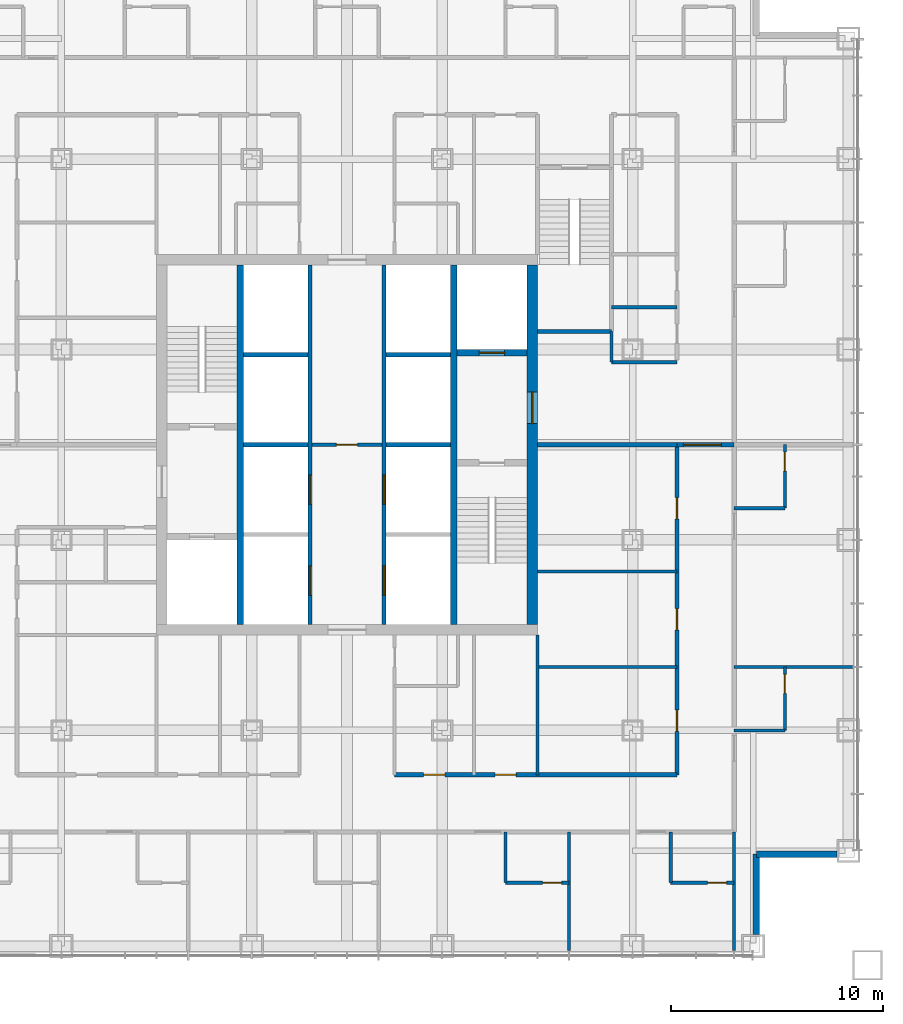
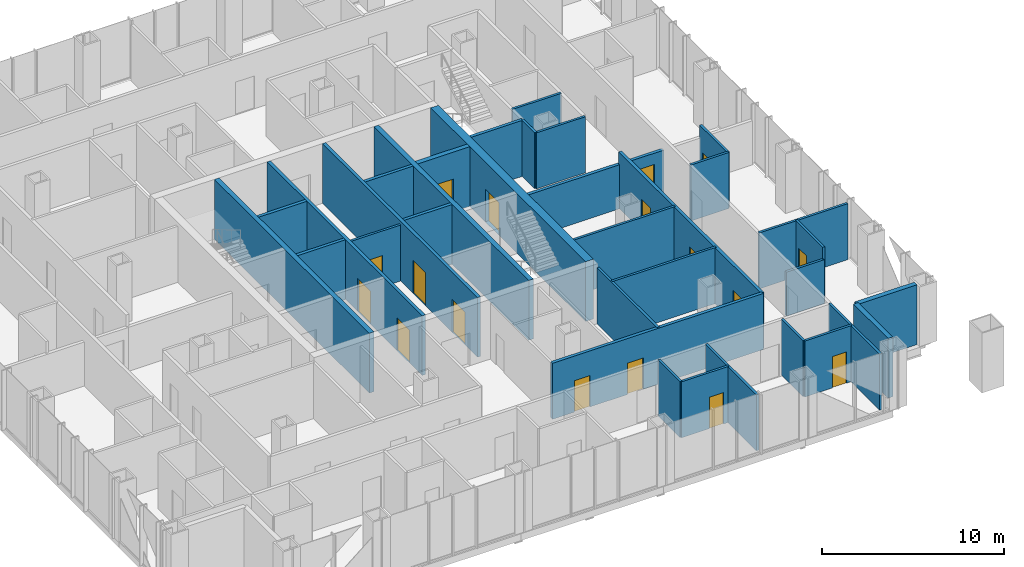
# One storey, part 10 of 13: 35 walls, 17 doors, 17 openings.
"""IFC4 building model written with IfcOpenShell, lengths in metres."""

from ifc_helpers import new_model, si_unit, direction, frame, frame_2d, origin, place, context, subcontext, project, spatial, rectangle, extrude, material, layer, layer_set, type_object, element, fill, save


model = new_model("IFC4")

# Units and contexts
model_context = context("Model", 3, precision=1e-05, world=origin(), true_north=direction((0.0, 1.0)))
body_context = subcontext(model_context, "Body", "Model", "MODEL_VIEW")
ifc_project = project(units=[si_unit("LENGTHUNIT", "METRE"), si_unit("AREAUNIT", "SQUARE_METRE"), si_unit("VOLUMEUNIT", "CUBIC_METRE"), si_unit("PLANEANGLEUNIT", "RADIAN"), si_unit("MASSUNIT", "GRAM", prefix="KILO")], contexts=[model_context])

# Site, building, storey
site_placement = place(None, origin())
site = spatial("IfcSite", under=ifc_project, at=site_placement, CompositionType="ELEMENT")
building_placement = place(site_placement, origin())
building = spatial("IfcBuilding", under=site, at=building_placement, Name="Malebo Sky Hospital", CompositionType="ELEMENT")
storey_placement = place(building_placement, frame((0.0, 0.0, 104.0)))
storey = spatial("IfcBuildingStorey", under=building, at=storey_placement, Name="L24", CompositionType="ELEMENT", Elevation=104.0)

# Wall, openings, doors
ifc_material_1 = material(Name="Concrete C80/95", Category="concrete")
ifc_layer_1 = layer(ifc_material_1, 0.199951171875)
ifc_layer_set_1 = layer_set([ifc_layer_1], Name="CORE INNER WALL 200")
wall_type_1 = type_object("IfcWallType", Name="CORE INNER WALL 200", PredefinedType="SHEAR", material=ifc_layer_set_1)
wall_1_placement = place(storey_placement, frame((58.25, 53.5, 0.0), z_axis=(0.0, 0.0, 1.0), x_axis=(0.0, 1.0, 0.0)))
wall_1 = element("IfcWall", 1, at=wall_1_placement, inside=storey, type_object=wall_type_1, Name="Core wall LW L24", PredefinedType="SHEAR", context=body_context, shape_type="SweptSolid", body=[
    extrude(rectangle(XDim=17.0, YDim=0.199951171875, at=frame_2d((8.5, 0.0))), origin(), (0.0, 0.0, 1.0), 4.0),
])
opening_1_placement = place(wall_1_placement, frame((1.375, 0.0, 0.0)))
opening_1 = element("IfcOpeningElement", 2, at=opening_1_placement, cuts=wall_1, Name="Opening LD1", PredefinedType="OPENING", context=body_context, shape_type="SweptSolid", body=[
    extrude(rectangle(XDim=1.39990234375, YDim=2.199951171875, at=frame_2d((0.699951171875, 1.10009765625))), frame((0.0, 0.10986328125, 0.0), z_axis=(0.0, -1.0, 0.0), x_axis=(1.0, 0.0, 0.0)), (0.0, 0.0, 1.0), 0.219970703125),
])
opening_2_placement = place(wall_1_placement, frame((5.675048828125, 0.0, 0.0)))
opening_2 = element("IfcOpeningElement", 3, at=opening_2_placement, cuts=wall_1, Name="Opening LD1", PredefinedType="OPENING", context=body_context, shape_type="SweptSolid", body=[
    extrude(rectangle(XDim=1.39990234375, YDim=2.199951171875, at=frame_2d((0.699951171875, 1.10009765625))), frame((0.0, 0.10986328125, 0.0), z_axis=(0.0, -1.0, 0.0), x_axis=(1.0, 0.0, 0.0)), (0.0, 0.0, 1.0), 0.219970703125),
])
ifc_material_2 = material(Name="Stainless steel sliding landing door", Category="steel")
door_type_1 = type_object("IfcDoorType", Name="LIFT LANDING DOOR 1400", OperationType="SLIDING_TO_LEFT", PredefinedType="DOOR", material=ifc_material_2)
door_1_placement = place(opening_1_placement, origin())
door_1 = element("IfcDoor", 4, at=door_1_placement, inside=storey, type_object=door_type_1, Name="Lift W1 landing door", OperationType="SLIDING_TO_LEFT", OverallHeight=2.199951171875, OverallWidth=1.39990234375, PredefinedType="DOOR", context=body_context, shape_type="SweptSolid", body=[
    extrude(rectangle(XDim=1.39990234375, YDim=2.199951171875, at=frame_2d((0.699951171875, 1.10009765625))), frame((0.0, 0.02490234375, 0.0), z_axis=(0.0, -1.0, 0.0), x_axis=(1.0, 0.0, 0.0)), (0.0, 0.0, 1.0), 0.050048828125),
])
fill(opening_1, door_1)
door_2_placement = place(opening_2_placement, origin())
door_2 = element("IfcDoor", 5, at=door_2_placement, inside=storey, type_object=door_type_1, Name="Lift W2 landing door", OperationType="SLIDING_TO_LEFT", OverallHeight=2.199951171875, OverallWidth=1.39990234375, PredefinedType="DOOR", context=body_context, shape_type="SweptSolid", body=[
    extrude(rectangle(XDim=1.39990234375, YDim=2.199951171875, at=frame_2d((0.699951171875, 1.10009765625))), frame((0.0, 0.02490234375, 0.0), z_axis=(0.0, -1.0, 0.0), x_axis=(1.0, 0.0, 0.0)), (0.0, 0.0, 1.0), 0.050048828125),
])
fill(opening_2, door_2)

wall_2_placement = place(storey_placement, frame((61.75, 53.5, 0.0), z_axis=(0.0, 0.0, 1.0), x_axis=(0.0, 1.0, 0.0)))
wall_2 = element("IfcWall", 6, at=wall_2_placement, inside=storey, type_object=wall_type_1, Name="Core wall LE L24", PredefinedType="SHEAR", context=body_context, shape_type="SweptSolid", body=[
    extrude(rectangle(XDim=17.0, YDim=0.199951171875, at=frame_2d((8.5, 0.0))), origin(), (0.0, 0.0, 1.0), 4.0),
])
opening_3_placement = place(wall_2_placement, frame((1.375, 0.0, 0.0)))
opening_3 = element("IfcOpeningElement", 7, at=opening_3_placement, cuts=wall_2, Name="Opening LD1", PredefinedType="OPENING", context=body_context, shape_type="SweptSolid", body=[
    extrude(rectangle(XDim=1.39990234375, YDim=2.199951171875, at=frame_2d((0.699951171875, 1.10009765625))), frame((0.0, 0.10986328125, 0.0), z_axis=(0.0, -1.0, 0.0), x_axis=(1.0, 0.0, 0.0)), (0.0, 0.0, 1.0), 0.219970703125),
])
opening_4_placement = place(wall_2_placement, frame((5.675048828125, 0.0, 0.0)))
opening_4 = element("IfcOpeningElement", 8, at=opening_4_placement, cuts=wall_2, Name="Opening LD1", PredefinedType="OPENING", context=body_context, shape_type="SweptSolid", body=[
    extrude(rectangle(XDim=1.39990234375, YDim=2.199951171875, at=frame_2d((0.699951171875, 1.10009765625))), frame((0.0, 0.10986328125, 0.0), z_axis=(0.0, -1.0, 0.0), x_axis=(1.0, 0.0, 0.0)), (0.0, 0.0, 1.0), 0.219970703125),
])
door_3_placement = place(opening_3_placement, origin())
door_3 = element("IfcDoor", 9, at=door_3_placement, inside=storey, type_object=door_type_1, Name="Lift E1 landing door", OperationType="SLIDING_TO_LEFT", OverallHeight=2.199951171875, OverallWidth=1.39990234375, PredefinedType="DOOR", context=body_context, shape_type="SweptSolid", body=[
    extrude(rectangle(XDim=1.39990234375, YDim=2.199951171875, at=frame_2d((0.699951171875, 1.10009765625))), frame((0.0, 0.02490234375, 0.0), z_axis=(0.0, -1.0, 0.0), x_axis=(1.0, 0.0, 0.0)), (0.0, 0.0, 1.0), 0.050048828125),
])
fill(opening_3, door_3)
door_4_placement = place(opening_4_placement, origin())
door_4 = element("IfcDoor", 10, at=door_4_placement, inside=storey, type_object=door_type_1, Name="Lift E2 landing door", OperationType="SLIDING_TO_LEFT", OverallHeight=2.199951171875, OverallWidth=1.39990234375, PredefinedType="DOOR", context=body_context, shape_type="SweptSolid", body=[
    extrude(rectangle(XDim=1.39990234375, YDim=2.199951171875, at=frame_2d((0.699951171875, 1.10009765625))), frame((0.0, 0.02490234375, 0.0), z_axis=(0.0, -1.0, 0.0), x_axis=(1.0, 0.0, 0.0)), (0.0, 0.0, 1.0), 0.050048828125),
])
fill(opening_4, door_4)

# Walls
for number, where, z_axis, x_axis, name in (
    (11, (55.10009765625, 62.0, 0.0), (0.0, 0.0, 1.0), (1.0, 0.0, 0.0), "Core wall SW1 L24"),
    (12, (61.85009765625, 62.0, 0.0), (0.0, 0.0, 1.0), (1.0, 0.0, 0.0), "Core wall SE1 L24"),
    (13, (55.10009765625, 66.25, 0.0), (0.0, 0.0, 1.0), (1.0, 0.0, 0.0), "Core wall SW2 L24"),
    (14, (61.85009765625, 66.25, 0.0), (0.0, 0.0, 1.0), (1.0, 0.0, 0.0), "Core wall SE2 L24"),
):
    element("IfcWall", number, at=place(storey_placement, frame(where, z_axis=z_axis, x_axis=x_axis)), inside=storey, type_object=wall_type_1, Name=name, PredefinedType="SHEAR", context=body_context, shape_type="SweptSolid", body=[
        extrude(rectangle(XDim=3.0498046875, YDim=0.199951171875, at=frame_2d((1.52490234375, 0.0))), origin(), (0.0, 0.0, 1.0), 4.0),
    ])
ifc_layer_2 = layer(ifc_material_1, 0.300048828125)
ifc_layer_set_2 = layer_set([ifc_layer_2], Name="CORE INNER WALL 300")
wall_type_2 = type_object("IfcWallType", Name="CORE INNER WALL 300", PredefinedType="SHEAR", material=ifc_layer_set_2)
for number, where, z_axis, x_axis, name in (
    (15, (54.949951171875, 53.5, 0.0), (0.0, 0.0, 1.0), (0.0, 1.0, 0.0), "Core wall XW L24"),
    (16, (65.050048828125, 53.5, 0.0), (0.0, 0.0, 1.0), (0.0, 1.0, 0.0), "Core wall XE L24"),
):
    element("IfcWall", number, at=place(storey_placement, frame(where, z_axis=z_axis, x_axis=x_axis)), inside=storey, type_object=wall_type_2, Name=name, PredefinedType="SHEAR", context=body_context, shape_type="SweptSolid", body=[
        extrude(rectangle(XDim=17.0, YDim=0.300048828125, at=frame_2d((8.5, 0.0))), origin(), (0.0, 0.0, 1.0), 4.0),
    ])

# Wall, opening, door
wall_3_placement = place(storey_placement, frame((65.199951171875, 66.35009765625, 0.0), z_axis=(0.0, 0.0, 1.0), x_axis=(1.0, 0.0, 0.0)))
wall_3 = element("IfcWall", 17, at=wall_3_placement, inside=storey, type_object=wall_type_2, Name="Core wall E2 L24", PredefinedType="SHEAR", context=body_context, shape_type="SweptSolid", body=[
    extrude(rectangle(XDim=3.300048828125, YDim=0.300048828125, at=frame_2d((1.64990234375, 0.0))), origin(), (0.0, 0.0, 1.0), 4.0),
])
opening_5_placement = place(wall_3_placement, frame((1.050048828125, 0.0, 0.0)))
opening_5 = element("IfcOpeningElement", 18, at=opening_5_placement, cuts=wall_3, Name="Opening LD2", PredefinedType="OPENING", context=body_context, shape_type="SweptSolid", body=[
    extrude(rectangle(XDim=1.199951171875, YDim=2.199951171875, at=frame_2d((0.60009765625, 1.10009765625))), frame((0.0, 0.159912109375, 0.0), z_axis=(0.0, -1.0, 0.0), x_axis=(1.0, 0.0, 0.0)), (0.0, 0.0, 1.0), 0.320068359375),
])
door_type_2 = type_object("IfcDoorType", Name="FIRE-FIGHTING LIFT LANDING DOOR 1200", OperationType="SLIDING_TO_LEFT", PredefinedType="DOOR", material=ifc_material_2)
door_5_placement = place(opening_5_placement, origin())
door_5 = element("IfcDoor", 19, at=door_5_placement, inside=storey, type_object=door_type_2, Name="Lift FL2 landing door", OperationType="SLIDING_TO_LEFT", OverallHeight=2.199951171875, OverallWidth=1.199951171875, PredefinedType="DOOR", context=body_context, shape_type="SweptSolid", body=[
    extrude(rectangle(XDim=1.199951171875, YDim=2.199951171875, at=frame_2d((0.60009765625, 1.10009765625))), frame((0.0, 0.02490234375, 0.0), z_axis=(0.0, -1.0, 0.0), x_axis=(1.0, 0.0, 0.0)), (0.0, 0.0, 1.0), 0.050048828125),
])
fill(opening_5, door_5)

ifc_layer_3 = layer(ifc_material_1, 0.5)
ifc_layer_set_3 = layer_set([ifc_layer_3], Name="CORE WALL 500")
wall_type_3 = type_object("IfcWallType", Name="CORE WALL 500", PredefinedType="SHEAR", material=ifc_layer_set_3)
wall_4_placement = place(storey_placement, frame((68.75, 53.5, 0.0), z_axis=(0.0, 0.0, 1.0), x_axis=(0.0, 1.0, 0.0)))
wall_4 = element("IfcWall", 20, at=wall_4_placement, inside=storey, type_object=wall_type_3, Name="Core wall E L24", PredefinedType="SHEAR", context=body_context, shape_type="SweptSolid", body=[
    extrude(rectangle(XDim=17.0, YDim=0.5, at=frame_2d((8.5, 0.0))), origin(), (0.0, 0.0, 1.0), 4.0),
])
opening_6_placement = place(wall_4_placement, frame((9.5, 0.0, 0.0)))
opening_6 = element("IfcOpeningElement", 21, at=opening_6_placement, cuts=wall_4, Name="Opening D07", PredefinedType="OPENING", context=body_context, shape_type="SweptSolid", body=[
    extrude(rectangle(XDim=1.5, YDim=2.199951171875, at=frame_2d((0.75, 1.10009765625))), frame((0.0, 0.260009765625, 0.0), z_axis=(0.0, -1.0, 0.0), x_axis=(1.0, 0.0, 0.0)), (0.0, 0.0, 1.0), 0.52001953125),
])
ifc_material_3 = material(Name="Hardwood-faced door leaf in steel frame", Category="steel")
door_type_3 = type_object("IfcDoorType", Name="FIRE-FIGHTING LOBBY DOOR PAIR 1500", OperationType="DOUBLE_DOOR_SINGLE_SWING", PredefinedType="DOOR", material=ifc_material_3)
door_6_placement = place(opening_6_placement, origin())
door_6 = element("IfcDoor", 22, at=door_6_placement, inside=storey, type_object=door_type_3, Name="Fire-fighting lobby door east", OperationType="DOUBLE_DOOR_SINGLE_SWING", OverallHeight=2.199951171875, OverallWidth=1.5, PredefinedType="DOOR", context=body_context, shape_type="SweptSolid", body=[
    extrude(rectangle(XDim=1.5, YDim=2.199951171875, at=frame_2d((0.75, 1.10009765625))), frame((0.0, 0.02490234375, 0.0), z_axis=(0.0, -1.0, 0.0), x_axis=(1.0, 0.0, 0.0)), (0.0, 0.0, 1.0), 0.050048828125),
])
fill(opening_6, door_6)

# Wall, openings, doors
ifc_material_4 = material(Name="Gypsum board on steel studs", Category="steel")
ifc_layer_4 = layer(ifc_material_4, 0.199951171875)
ifc_layer_set_4 = layer_set([ifc_layer_4], Name="CORRIDOR WALL 200")
wall_type_4 = type_object("IfcWallType", Name="CORRIDOR WALL 200", PredefinedType="PARTITIONING", material=ifc_layer_set_4)
wall_5_placement = place(storey_placement, frame((75.60009765625, 46.39990234375, 0.0), z_axis=(0.0, 0.0, 1.0), x_axis=(-1.0, 0.0, 0.0)))
wall_5 = element("IfcWall", 23, at=wall_5_placement, inside=storey, type_object=wall_type_4, Name="Corridor Wall 200 SCI1", PredefinedType="PARTITIONING", context=body_context, shape_type="SweptSolid", body=[
    extrude(rectangle(XDim=13.35009765625, YDim=0.199951171875, at=frame_2d((6.675048828125, 0.0))), origin(), (0.0, 0.0, 1.0), 3.75),
])
opening_7_placement = place(wall_5_placement, frame((7.60009765625, 0.0, 0.0)))
opening_7 = element("IfcOpeningElement", 24, at=opening_7_placement, cuts=wall_5, Name="Opening D03", PredefinedType="OPENING", context=body_context, shape_type="SweptSolid", body=[
    extrude(rectangle(XDim=1.0, YDim=2.10009765625, at=frame_2d((0.5, 1.050048828125))), frame((0.0, 0.10986328125, 0.0), z_axis=(0.0, -1.0, 0.0), x_axis=(1.0, 0.0, 0.0)), (0.0, 0.0, 1.0), 0.219970703125),
])
opening_8_placement = place(wall_5_placement, frame((10.97509765625, 0.0, 0.0)))
opening_8 = element("IfcOpeningElement", 25, at=opening_8_placement, cuts=wall_5, Name="Opening D03", PredefinedType="OPENING", context=body_context, shape_type="SweptSolid", body=[
    extrude(rectangle(XDim=1.0, YDim=2.10009765625, at=frame_2d((0.5, 1.050048828125))), frame((0.0, 0.10986328125, 0.0), z_axis=(0.0, -1.0, 0.0), x_axis=(1.0, 0.0, 0.0)), (0.0, 0.0, 1.0), 0.219970703125),
])
door_type_4 = type_object("IfcDoorType", Name="ROOM DOOR 1000", OperationType="SINGLE_SWING_LEFT", PredefinedType="DOOR", material=ifc_material_3)
door_7_placement = place(opening_7_placement, origin())
door_7 = element("IfcDoor", 26, at=door_7_placement, inside=storey, type_object=door_type_4, Name="Relatives' room door", OperationType="SINGLE_SWING_LEFT", OverallHeight=2.10009765625, OverallWidth=1.0, PredefinedType="DOOR", context=body_context, shape_type="SweptSolid", body=[
    extrude(rectangle(XDim=1.0, YDim=2.10009765625, at=frame_2d((0.5, 1.050048828125))), frame((0.0, 0.02490234375, 0.0), z_axis=(0.0, -1.0, 0.0), x_axis=(1.0, 0.0, 0.0)), (0.0, 0.0, 1.0), 0.050048828125),
])
fill(opening_7, door_7)
door_8_placement = place(opening_8_placement, origin())
door_8 = element("IfcDoor", 27, at=door_8_placement, inside=storey, type_object=door_type_4, Name="Dirty utility room door", OperationType="SINGLE_SWING_LEFT", OverallHeight=2.10009765625, OverallWidth=1.0, PredefinedType="DOOR", context=body_context, shape_type="SweptSolid", body=[
    extrude(rectangle(XDim=1.0, YDim=2.10009765625, at=frame_2d((0.5, 1.050048828125))), frame((0.0, 0.02490234375, 0.0), z_axis=(0.0, -1.0, 0.0), x_axis=(1.0, 0.0, 0.0)), (0.0, 0.0, 1.0), 0.050048828125),
])
fill(opening_8, door_8)

wall_6_placement = place(storey_placement, frame((75.60009765625, 62.0, 0.0), z_axis=(0.0, 0.0, 1.0), x_axis=(0.0, -1.0, 0.0)))
wall_6 = element("IfcWall", 28, at=wall_6_placement, inside=storey, type_object=wall_type_4, Name="Corridor Wall 200 ECI2", PredefinedType="PARTITIONING", context=body_context, shape_type="SweptSolid", body=[
    extrude(rectangle(XDim=15.60009765625, YDim=0.199951171875, at=frame_2d((7.800048828125, 0.0))), origin(), (0.0, 0.0, 1.0), 3.75),
])
opening_9_placement = place(wall_6_placement, frame((2.5, 0.0, 0.0)))
opening_9 = element("IfcOpeningElement", 29, at=opening_9_placement, cuts=wall_6, Name="Opening D03", PredefinedType="OPENING", context=body_context, shape_type="SweptSolid", body=[
    extrude(rectangle(XDim=1.0, YDim=2.10009765625, at=frame_2d((0.5, 1.050048828125))), frame((0.0, 0.10986328125, 0.0), z_axis=(0.0, -1.0, 0.0), x_axis=(1.0, 0.0, 0.0)), (0.0, 0.0, 1.0), 0.219970703125),
])
opening_10_placement = place(wall_6_placement, frame((7.75, 0.0, 0.0)))
opening_10 = element("IfcOpeningElement", 30, at=opening_10_placement, cuts=wall_6, Name="Opening D03", PredefinedType="OPENING", context=body_context, shape_type="SweptSolid", body=[
    extrude(rectangle(XDim=1.0, YDim=2.10009765625, at=frame_2d((0.5, 1.050048828125))), frame((0.0, 0.10986328125, 0.0), z_axis=(0.0, -1.0, 0.0), x_axis=(1.0, 0.0, 0.0)), (0.0, 0.0, 1.0), 0.219970703125),
])
opening_11_placement = place(wall_6_placement, frame((12.550048828125, 0.0, 0.0)))
opening_11 = element("IfcOpeningElement", 31, at=opening_11_placement, cuts=wall_6, Name="Opening D03", PredefinedType="OPENING", context=body_context, shape_type="SweptSolid", body=[
    extrude(rectangle(XDim=1.0, YDim=2.10009765625, at=frame_2d((0.5, 1.050048828125))), frame((0.0, 0.10986328125, 0.0), z_axis=(0.0, -1.0, 0.0), x_axis=(1.0, 0.0, 0.0)), (0.0, 0.0, 1.0), 0.219970703125),
])
door_9_placement = place(opening_9_placement, origin())
door_9 = element("IfcDoor", 32, at=door_9_placement, inside=storey, type_object=door_type_4, Name="Consulting room door", OperationType="SINGLE_SWING_LEFT", OverallHeight=2.10009765625, OverallWidth=1.0, PredefinedType="DOOR", context=body_context, shape_type="SweptSolid", body=[
    extrude(rectangle(XDim=1.0, YDim=2.10009765625, at=frame_2d((0.5, 1.050048828125))), frame((0.0, 0.02490234375, 0.0), z_axis=(0.0, -1.0, 0.0), x_axis=(1.0, 0.0, 0.0)), (0.0, 0.0, 1.0), 0.050048828125),
])
fill(opening_9, door_9)
door_10_placement = place(opening_10_placement, origin())
door_10 = element("IfcDoor", 33, at=door_10_placement, inside=storey, type_object=door_type_4, Name="Interview room door", OperationType="SINGLE_SWING_LEFT", OverallHeight=2.10009765625, OverallWidth=1.0, PredefinedType="DOOR", context=body_context, shape_type="SweptSolid", body=[
    extrude(rectangle(XDim=1.0, YDim=2.10009765625, at=frame_2d((0.5, 1.050048828125))), frame((0.0, 0.02490234375, 0.0), z_axis=(0.0, -1.0, 0.0), x_axis=(1.0, 0.0, 0.0)), (0.0, 0.0, 1.0), 0.050048828125),
])
fill(opening_10, door_10)
door_11_placement = place(opening_11_placement, origin())
door_11 = element("IfcDoor", 34, at=door_11_placement, inside=storey, type_object=door_type_4, Name="Staff base door", OperationType="SINGLE_SWING_RIGHT", OverallHeight=2.10009765625, OverallWidth=1.0, PredefinedType="DOOR", context=body_context, shape_type="SweptSolid", body=[
    extrude(rectangle(XDim=1.0, YDim=2.10009765625, at=frame_2d((0.5, 1.050048828125))), frame((0.0, 0.02490234375, 0.0), z_axis=(0.0, -1.0, 0.0), x_axis=(1.0, 0.0, 0.0)), (0.0, 0.0, 1.0), 0.050048828125),
])
fill(opening_11, door_11)

# Walls
ifc_material_5 = material(Name="Anodised aluminium rainscreen on steel framing", Category="steel")
ifc_layer_5 = layer(ifc_material_5, 0.300048828125)
ifc_layer_set_5 = layer_set([ifc_layer_5], Name="NOTCH RAINSCREEN WALL 300")
wall_type_5 = type_object("IfcWallType", Name="NOTCH RAINSCREEN WALL 300", PredefinedType="ELEMENTEDWALL", material=ifc_layer_set_5)
for number, where, z_axis, x_axis, name in (
    (35, (83.14990234375, 42.64990234375, 0.0), (0.0, 0.0, 1.0), (-1.0, 0.0, 0.0), "Notch rainscreen wall E1 L24"),
    (36, (79.35009765625, 42.64990234375, 0.0), (0.0, 0.0, 1.0), (0.0, -1.0, 0.0), "Notch rainscreen wall E2 L24"),
):
    element("IfcWall", number, at=place(storey_placement, frame(where, z_axis=z_axis, x_axis=x_axis)), inside=storey, type_object=wall_type_5, Name=name, PredefinedType="ELEMENTEDWALL", context=body_context, shape_type="SweptSolid", body=[
        extrude(rectangle(XDim=3.7998046875, YDim=0.300048828125, at=frame_2d((1.89990234375, 0.0))), origin(), (0.0, 0.0, 1.0), 4.0),
    ])
ifc_layer_6 = layer(ifc_material_4, 0.14990234375)
ifc_layer_set_6 = layer_set([ifc_layer_6], Name="PARTITION 150")
wall_type_6 = type_object("IfcWallType", Name="PARTITION 150", PredefinedType="PARTITIONING", material=ifc_layer_set_6)
for number, where, z_axis, x_axis, name in (
    (37, (70.5, 43.699951171875, 0.0), (0.0, 0.0, 1.0), (0.0, -1.0, 0.0), "Partition 150 SP-10.5"),
    (38, (78.300048828125, 43.699951171875, 0.0), (0.0, 0.0, 1.0), (0.0, -1.0, 0.0), "Partition 150 SP0"),
):
    element("IfcWall", number, at=place(storey_placement, frame(where, z_axis=z_axis, x_axis=x_axis)), inside=storey, type_object=wall_type_6, Name=name, PredefinedType="PARTITIONING", context=body_context, shape_type="SweptSolid", body=[
        extrude(rectangle(XDim=5.60986328125, YDim=0.14990234375, at=frame_2d((2.804931640625, 0.0))), origin(), (0.0, 0.0, 1.0), 3.75),
    ])

# Wall, opening, door
wall_7_placement = place(storey_placement, frame((78.300048828125, 41.300048828125, 0.0), z_axis=(0.0, 0.0, 1.0), x_axis=(-1.0, 0.0, 0.0)))
wall_7 = element("IfcWall", 39, at=wall_7_placement, inside=storey, type_object=wall_type_6, Name="Partition 150 SE0F", PredefinedType="PARTITIONING", context=body_context, shape_type="SweptSolid", body=[
    extrude(rectangle(XDim=3.0, YDim=0.14990234375, at=frame_2d((1.5, 0.0))), origin(), (0.0, 0.0, 1.0), 3.75),
])
opening_12_placement = place(wall_7_placement, frame((0.35009765625, 0.0, 0.0)))
opening_12 = element("IfcOpeningElement", 40, at=opening_12_placement, cuts=wall_7, Name="Opening D02", PredefinedType="OPENING", context=body_context, shape_type="SweptSolid", body=[
    extrude(rectangle(XDim=0.89990234375, YDim=2.10009765625, at=frame_2d((0.449951171875, 1.050048828125))), frame((0.0, 0.0849609375, 0.0), z_axis=(0.0, -1.0, 0.0), x_axis=(1.0, 0.0, 0.0)), (0.0, 0.0, 1.0), 0.169921875),
])
door_type_5 = type_object("IfcDoorType", Name="EN-SUITE DOOR 900", OperationType="SINGLE_SWING_LEFT", PredefinedType="DOOR", material=ifc_material_3)
door_12_placement = place(opening_12_placement, origin())
door_12 = element("IfcDoor", 41, at=door_12_placement, inside=storey, type_object=door_type_5, Name="En-suite door", OperationType="SINGLE_SWING_LEFT", OverallHeight=2.10009765625, OverallWidth=0.89990234375, PredefinedType="DOOR", context=body_context, shape_type="SweptSolid", body=[
    extrude(rectangle(XDim=0.89990234375, YDim=2.10009765625, at=frame_2d((0.449951171875, 1.050048828125))), frame((0.0, 0.02490234375, 0.0), z_axis=(0.0, -1.0, 0.0), x_axis=(1.0, 0.0, 0.0)), (0.0, 0.0, 1.0), 0.050048828125),
])
fill(opening_12, door_12)

# Wall
wall_8_placement = place(storey_placement, frame((75.300048828125, 43.699951171875, 0.0), z_axis=(0.0, 0.0, 1.0), x_axis=(0.0, -1.0, 0.0)))
element("IfcWall", 42, at=wall_8_placement, inside=storey, type_object=wall_type_6, Name="Partition 150 SE0S", PredefinedType="PARTITIONING", context=body_context, shape_type="SweptSolid", body=[
    extrude(rectangle(XDim=2.39990234375, YDim=0.14990234375, at=frame_2d((1.199951171875, 0.0))), origin(), (0.0, 0.0, 1.0), 3.75),
])

# Wall, opening, door
wall_9_placement = place(storey_placement, frame((70.5, 41.300048828125, 0.0), z_axis=(0.0, 0.0, 1.0), x_axis=(-1.0, 0.0, 0.0)))
wall_9 = element("IfcWall", 43, at=wall_9_placement, inside=storey, type_object=wall_type_6, Name="Partition 150 SE1F", PredefinedType="PARTITIONING", context=body_context, shape_type="SweptSolid", body=[
    extrude(rectangle(XDim=3.0, YDim=0.14990234375, at=frame_2d((1.5, 0.0))), origin(), (0.0, 0.0, 1.0), 3.75),
])
opening_13_placement = place(wall_9_placement, frame((0.35009765625, 0.0, 0.0)))
opening_13 = element("IfcOpeningElement", 44, at=opening_13_placement, cuts=wall_9, Name="Opening D02", PredefinedType="OPENING", context=body_context, shape_type="SweptSolid", body=[
    extrude(rectangle(XDim=0.89990234375, YDim=2.10009765625, at=frame_2d((0.449951171875, 1.050048828125))), frame((0.0, 0.0849609375, 0.0), z_axis=(0.0, -1.0, 0.0), x_axis=(1.0, 0.0, 0.0)), (0.0, 0.0, 1.0), 0.169921875),
])
door_13_placement = place(opening_13_placement, origin())
door_13 = element("IfcDoor", 45, at=door_13_placement, inside=storey, type_object=door_type_5, Name="En-suite door", OperationType="SINGLE_SWING_LEFT", OverallHeight=2.10009765625, OverallWidth=0.89990234375, PredefinedType="DOOR", context=body_context, shape_type="SweptSolid", body=[
    extrude(rectangle(XDim=0.89990234375, YDim=2.10009765625, at=frame_2d((0.449951171875, 1.050048828125))), frame((0.0, 0.02490234375, 0.0), z_axis=(0.0, -1.0, 0.0), x_axis=(1.0, 0.0, 0.0)), (0.0, 0.0, 1.0), 0.050048828125),
])
fill(opening_13, door_13)

# Walls
wall_10_placement = place(storey_placement, frame((67.5, 43.699951171875, 0.0), z_axis=(0.0, 0.0, 1.0), x_axis=(0.0, -1.0, 0.0)))
element("IfcWall", 46, at=wall_10_placement, inside=storey, type_object=wall_type_6, Name="Partition 150 SE1S", PredefinedType="PARTITIONING", context=body_context, shape_type="SweptSolid", body=[
    extrude(rectangle(XDim=2.39990234375, YDim=0.14990234375, at=frame_2d((1.199951171875, 0.0))), origin(), (0.0, 0.0, 1.0), 3.75),
])
wall_11_placement = place(storey_placement, frame((69.0, 53.0, 0.0), z_axis=(0.0, 0.0, 1.0), x_axis=(0.0, -1.0, 0.0)))
element("IfcWall", 47, at=wall_11_placement, inside=storey, type_object=wall_type_6, Name="Partition 150 SSP0", PredefinedType="PARTITIONING", context=body_context, shape_type="SweptSolid", body=[
    extrude(rectangle(XDim=6.60009765625, YDim=0.14990234375, at=frame_2d((3.300048828125, 0.0))), origin(), (0.0, 0.0, 1.0), 3.75),
])
wall_12_placement = place(storey_placement, frame((78.300048828125, 51.5, 0.0), z_axis=(0.0, 0.0, 1.0), x_axis=(1.0, 0.0, 0.0)))
element("IfcWall", 48, at=wall_12_placement, inside=storey, type_object=wall_type_6, Name="Partition 150 EP+10.5", PredefinedType="PARTITIONING", context=body_context, shape_type="SweptSolid", body=[
    extrude(rectangle(XDim=5.60986328125, YDim=0.14990234375, at=frame_2d((2.804931640625, 0.0))), origin(), (0.0, 0.0, 1.0), 3.75),
])

# Wall, opening, door
wall_13_placement = place(storey_placement, frame((80.699951171875, 62.0, 0.0), z_axis=(0.0, 0.0, 1.0), x_axis=(0.0, -1.0, 0.0)))
wall_13 = element("IfcWall", 49, at=wall_13_placement, inside=storey, type_object=wall_type_6, Name="Partition 150 EE2F", PredefinedType="PARTITIONING", context=body_context, shape_type="SweptSolid", body=[
    extrude(rectangle(XDim=3.0, YDim=0.14990234375, at=frame_2d((1.5, 0.0))), origin(), (0.0, 0.0, 1.0), 3.75),
])
opening_14_placement = place(wall_13_placement, frame((0.35009765625, 0.0, 0.0)))
opening_14 = element("IfcOpeningElement", 50, at=opening_14_placement, cuts=wall_13, Name="Opening D02", PredefinedType="OPENING", context=body_context, shape_type="SweptSolid", body=[
    extrude(rectangle(XDim=0.89990234375, YDim=2.10009765625, at=frame_2d((0.449951171875, 1.050048828125))), frame((0.0, 0.0849609375, 0.0), z_axis=(0.0, -1.0, 0.0), x_axis=(1.0, 0.0, 0.0)), (0.0, 0.0, 1.0), 0.169921875),
])
door_14_placement = place(opening_14_placement, origin())
door_14 = element("IfcDoor", 51, at=door_14_placement, inside=storey, type_object=door_type_5, Name="En-suite door", OperationType="SINGLE_SWING_LEFT", OverallHeight=2.10009765625, OverallWidth=0.89990234375, PredefinedType="DOOR", context=body_context, shape_type="SweptSolid", body=[
    extrude(rectangle(XDim=0.89990234375, YDim=2.10009765625, at=frame_2d((0.449951171875, 1.050048828125))), frame((0.0, 0.02490234375, 0.0), z_axis=(0.0, -1.0, 0.0), x_axis=(1.0, 0.0, 0.0)), (0.0, 0.0, 1.0), 0.050048828125),
])
fill(opening_14, door_14)

# Wall
wall_14_placement = place(storey_placement, frame((78.300048828125, 59.0, 0.0), z_axis=(0.0, 0.0, 1.0), x_axis=(1.0, 0.0, 0.0)))
element("IfcWall", 52, at=wall_14_placement, inside=storey, type_object=wall_type_6, Name="Partition 150 EE2S", PredefinedType="PARTITIONING", context=body_context, shape_type="SweptSolid", body=[
    extrude(rectangle(XDim=2.39990234375, YDim=0.14990234375, at=frame_2d((1.199951171875, 0.0))), origin(), (0.0, 0.0, 1.0), 3.75),
])

# Wall, opening, door
wall_15_placement = place(storey_placement, frame((80.699951171875, 51.5, 0.0), z_axis=(0.0, 0.0, 1.0), x_axis=(0.0, -1.0, 0.0)))
wall_15 = element("IfcWall", 53, at=wall_15_placement, inside=storey, type_object=wall_type_6, Name="Partition 150 EE3F", PredefinedType="PARTITIONING", context=body_context, shape_type="SweptSolid", body=[
    extrude(rectangle(XDim=3.0, YDim=0.14990234375, at=frame_2d((1.5, 0.0))), origin(), (0.0, 0.0, 1.0), 3.75),
])
opening_15_placement = place(wall_15_placement, frame((0.35009765625, 0.0, 0.0)))
opening_15 = element("IfcOpeningElement", 54, at=opening_15_placement, cuts=wall_15, Name="Opening D02", PredefinedType="OPENING", context=body_context, shape_type="SweptSolid", body=[
    extrude(rectangle(XDim=0.89990234375, YDim=2.10009765625, at=frame_2d((0.449951171875, 1.050048828125))), frame((0.0, 0.0849609375, 0.0), z_axis=(0.0, -1.0, 0.0), x_axis=(1.0, 0.0, 0.0)), (0.0, 0.0, 1.0), 0.169921875),
])
door_15_placement = place(opening_15_placement, origin())
door_15 = element("IfcDoor", 55, at=door_15_placement, inside=storey, type_object=door_type_5, Name="En-suite door", OperationType="SINGLE_SWING_LEFT", OverallHeight=2.10009765625, OverallWidth=0.89990234375, PredefinedType="DOOR", context=body_context, shape_type="SweptSolid", body=[
    extrude(rectangle(XDim=0.89990234375, YDim=2.10009765625, at=frame_2d((0.449951171875, 1.050048828125))), frame((0.0, 0.02490234375, 0.0), z_axis=(0.0, -1.0, 0.0), x_axis=(1.0, 0.0, 0.0)), (0.0, 0.0, 1.0), 0.050048828125),
])
fill(opening_15, door_15)

# Walls
wall_16_placement = place(storey_placement, frame((78.300048828125, 48.5, 0.0), z_axis=(0.0, 0.0, 1.0), x_axis=(1.0, 0.0, 0.0)))
element("IfcWall", 56, at=wall_16_placement, inside=storey, type_object=wall_type_6, Name="Partition 150 EE3S", PredefinedType="PARTITIONING", context=body_context, shape_type="SweptSolid", body=[
    extrude(rectangle(XDim=2.39990234375, YDim=0.14990234375, at=frame_2d((1.199951171875, 0.0))), origin(), (0.0, 0.0, 1.0), 2.949951171875),
])
for number, where, z_axis, x_axis, name in (
    (57, (72.5, 65.89990234375, 0.0), (0.0, 0.0, 1.0), (1.0, 0.0, 0.0), "Partition 150 ESPA"),
    (58, (72.5, 68.5, 0.0), (0.0, 0.0, 1.0), (1.0, 0.0, 0.0), "Partition 150 ESP-6.5"),
):
    element("IfcWall", number, at=place(storey_placement, frame(where, z_axis=z_axis, x_axis=x_axis)), inside=storey, type_object=wall_type_6, Name=name, PredefinedType="PARTITIONING", context=body_context, shape_type="SweptSolid", body=[
        extrude(rectangle(XDim=3.10009765625, YDim=0.14990234375, at=frame_2d((1.550048828125, 0.0))), origin(), (0.0, 0.0, 1.0), 3.75),
    ])
for number, where, z_axis, x_axis, name in (
    (59, (69.0, 56.0, 0.0), (0.0, 0.0, 1.0), (1.0, 0.0, 0.0), "Partition 150 ESP+6.0"),
    (60, (69.0, 51.5, 0.0), (0.0, 0.0, 1.0), (1.0, 0.0, 0.0), "Partition 150 ESP+10.5"),
):
    element("IfcWall", number, at=place(storey_placement, frame(where, z_axis=z_axis, x_axis=x_axis)), inside=storey, type_object=wall_type_6, Name=name, PredefinedType="PARTITIONING", context=body_context, shape_type="SweptSolid", body=[
        extrude(rectangle(XDim=6.60009765625, YDim=0.14990234375, at=frame_2d((3.300048828125, 0.0))), origin(), (0.0, 0.0, 1.0), 3.75),
    ])

# Wall, opening, door
wall_17_placement = place(storey_placement, frame((58.35009765625, 62.0, 0.0), z_axis=(0.0, 0.0, 1.0), x_axis=(1.0, 0.0, 0.0)))
wall_17 = element("IfcWall", 61, at=wall_17_placement, inside=storey, type_object=wall_type_6, Name="Partition 150 LBN", PredefinedType="PARTITIONING", context=body_context, shape_type="SweptSolid", body=[
    extrude(rectangle(XDim=3.2998046875, YDim=0.14990234375, at=frame_2d((1.64990234375, 0.0))), origin(), (0.0, 0.0, 1.0), 3.75),
])
opening_16_placement = place(wall_17_placement, frame((1.14990234375, 0.0, 0.0)))
opening_16 = element("IfcOpeningElement", 62, at=opening_16_placement, cuts=wall_17, Name="Opening D03", PredefinedType="OPENING", context=body_context, shape_type="SweptSolid", body=[
    extrude(rectangle(XDim=1.0, YDim=2.10009765625, at=frame_2d((0.5, 1.050048828125))), frame((0.0, 0.0849609375, 0.0), z_axis=(0.0, -1.0, 0.0), x_axis=(1.0, 0.0, 0.0)), (0.0, 0.0, 1.0), 0.169921875),
])
door_16_placement = place(opening_16_placement, origin())
door_16 = element("IfcDoor", 63, at=door_16_placement, inside=storey, type_object=door_type_4, Name="Linen store door", OperationType="SINGLE_SWING_LEFT", OverallHeight=2.10009765625, OverallWidth=1.0, PredefinedType="DOOR", context=body_context, shape_type="SweptSolid", body=[
    extrude(rectangle(XDim=1.0, YDim=2.10009765625, at=frame_2d((0.5, 1.050048828125))), frame((0.0, 0.02490234375, 0.0), z_axis=(0.0, -1.0, 0.0), x_axis=(1.0, 0.0, 0.0)), (0.0, 0.0, 1.0), 0.050048828125),
])
fill(opening_16, door_16)

# Walls
wall_18_placement = place(storey_placement, frame((72.5, 65.89990234375, 0.0), z_axis=(0.0, 0.0, 1.0), x_axis=(0.0, 1.0, 0.0)))
element("IfcWall", 64, at=wall_18_placement, inside=storey, type_object=wall_type_6, Name="Partition 150 ST3C", PredefinedType="PARTITIONING", context=body_context, shape_type="SweptSolid", body=[
    extrude(rectangle(XDim=1.4501953125, YDim=0.14990234375, at=frame_2d((0.72509765625, 0.0))), origin(), (0.0, 0.0, 1.0), 3.75),
])
ifc_material_6 = material(Name="Concrete blockwork", Category="masonry")
ifc_layer_7 = layer(ifc_material_6, 0.199951171875)
ifc_layer_set_7 = layer_set([ifc_layer_7], Name="SMOKE BARRIER WALL 200")
wall_type_7 = type_object("IfcWallType", Name="SMOKE BARRIER WALL 200", PredefinedType="SOLIDWALL", material=ifc_layer_set_7)
wall_19_placement = place(storey_placement, frame((69.0, 62.0, 0.0), z_axis=(0.0, 0.0, 1.0), x_axis=(1.0, 0.0, 0.0)))
element("IfcWall", 65, at=wall_19_placement, inside=storey, type_object=wall_type_7, Name="Smoke Barrier Wall 200 ESPB", PredefinedType="SOLIDWALL", context=body_context, shape_type="SweptSolid", body=[
    extrude(rectangle(XDim=6.60009765625, YDim=0.199951171875, at=frame_2d((3.300048828125, 0.0))), origin(), (0.0, 0.0, 1.0), 2.949951171875),
])

# Wall, opening, door
wall_20_placement = place(storey_placement, frame((75.60009765625, 62.0, 0.0), z_axis=(0.0, 0.0, 1.0), x_axis=(1.0, 0.0, 0.0)))
wall_20 = element("IfcWall", 66, at=wall_20_placement, inside=storey, type_object=wall_type_7, Name="Smoke Barrier Wall 200 ESB", PredefinedType="SOLIDWALL", context=body_context, shape_type="SweptSolid", body=[
    extrude(rectangle(XDim=2.699951171875, YDim=0.199951171875, at=frame_2d((1.35009765625, 0.0))), origin(), (0.0, 0.0, 1.0), 2.949951171875),
])
opening_17_placement = place(wall_20_placement, frame((0.300048828125, 0.0, 0.0)))
opening_17 = element("IfcOpeningElement", 67, at=opening_17_placement, cuts=wall_20, Name="Opening D05", PredefinedType="OPENING", context=body_context, shape_type="SweptSolid", body=[
    extrude(rectangle(XDim=1.800048828125, YDim=2.199951171875, at=frame_2d((0.89990234375, 1.10009765625))), frame((0.0, 0.10986328125, 0.0), z_axis=(0.0, -1.0, 0.0), x_axis=(1.0, 0.0, 0.0)), (0.0, 0.0, 1.0), 0.219970703125),
])
door_type_6 = type_object("IfcDoorType", Name="SMOKE DOOR PAIR 1800", OperationType="DOUBLE_DOOR_DOUBLE_SWING", PredefinedType="DOOR", material=ifc_material_3)
door_17_placement = place(opening_17_placement, origin())
door_17 = element("IfcDoor", 68, at=door_17_placement, inside=storey, type_object=door_type_6, Name="Smoke compartment door pair", OperationType="DOUBLE_DOOR_DOUBLE_SWING", OverallHeight=2.199951171875, OverallWidth=1.800048828125, PredefinedType="DOOR", context=body_context, shape_type="SweptSolid", body=[
    extrude(rectangle(XDim=1.800048828125, YDim=2.199951171875, at=frame_2d((0.89990234375, 1.10009765625))), frame((0.0, 0.02490234375, 0.0), z_axis=(0.0, -1.0, 0.0), x_axis=(1.0, 0.0, 0.0)), (0.0, 0.0, 1.0), 0.050048828125),
])
fill(opening_17, door_17)

# Wall
ifc_material_7 = material(Name="Concrete C40/50", Category="concrete")
ifc_layer_8 = layer(ifc_material_7, 0.199951171875)
ifc_layer_set_8 = layer_set([ifc_layer_8], Name="STAIR ENCLOSURE WALL 200")
wall_type_8 = type_object("IfcWallType", Name="STAIR ENCLOSURE WALL 200", PredefinedType="SOLIDWALL", material=ifc_layer_set_8)
wall_21_placement = place(storey_placement, frame((69.0, 67.35009765625, 0.0), z_axis=(0.0, 0.0, 1.0), x_axis=(1.0, 0.0, 0.0)))
element("IfcWall", 69, at=wall_21_placement, inside=storey, type_object=wall_type_8, Name="Stair Enclosure Wall 200 ST3S", PredefinedType="SOLIDWALL", context=body_context, shape_type="SweptSolid", body=[
    extrude(rectangle(XDim=3.5, YDim=0.199951171875, at=frame_2d((1.75, 0.0))), origin(), (0.0, 0.0, 1.0), 3.75),
])

save(model, "model.ifc")
